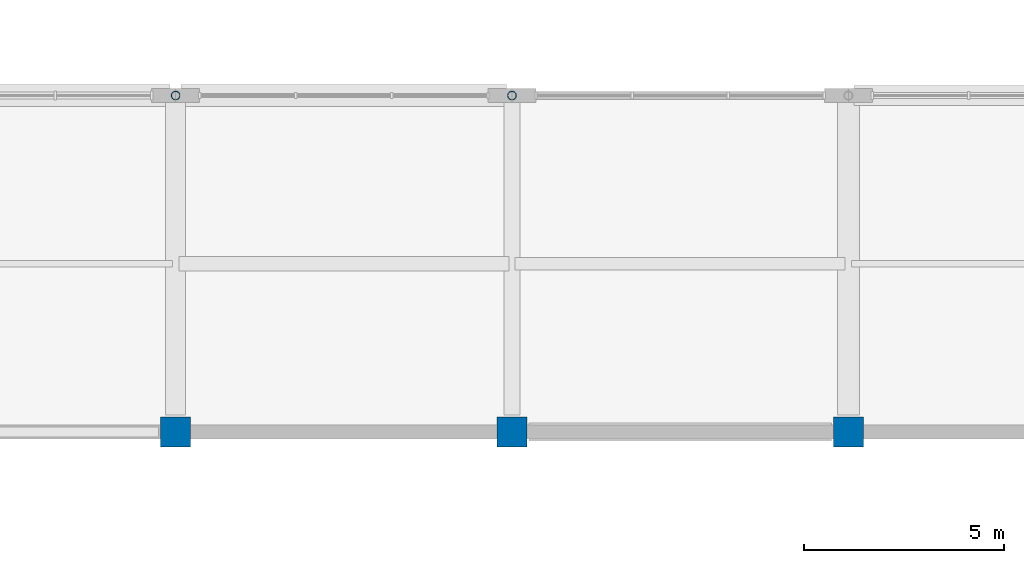
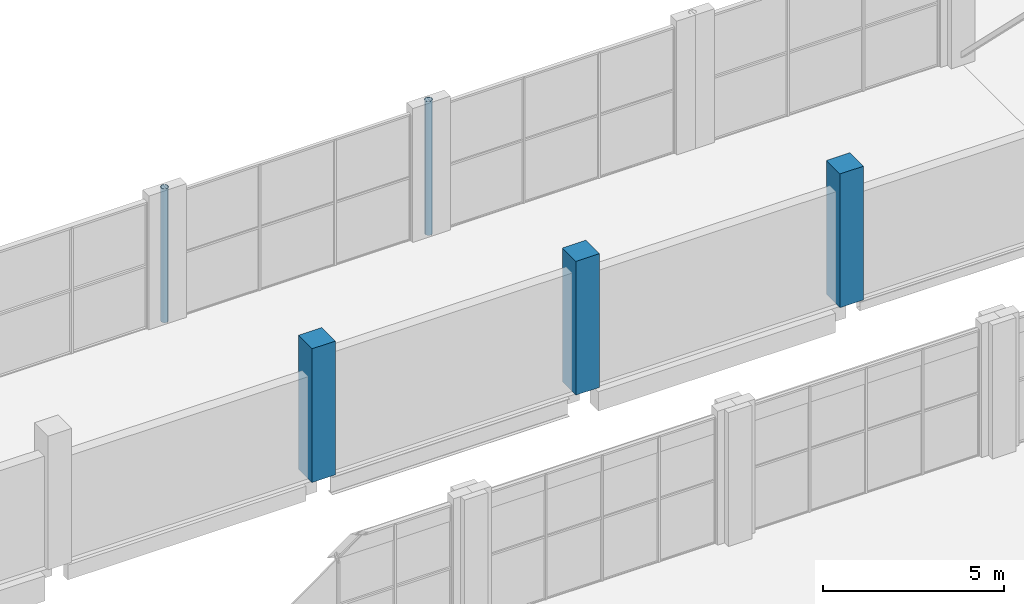
# One storey, part 7 of 75: 5 columns.
"""IFC4 building model written with IfcOpenShell, lengths in metres."""

import ifcopenshell
import ifcopenshell.guid

model = None  # the IFC model being written
_history = None  # IfcOwnerHistory: only IFC2X3 demands one
_inside = {}  # id of a spatial element -> (the spatial element, [elements in it])
_under = {}  # id of a project, library or spatial element -> (it, [spatial elements below it])
_declared = {}  # id of a project -> (the project, [libraries it declares])
_typed = {}  # id of a type object -> (the type object, [elements of that type])
_made_of = {}  # id of a material, layer set ... -> (it, [elements and type objects made of it])


def new_model(schema):
    """Start an empty IFC model of exactly this schema.

    Asked for "IFC4X3", IfcOpenShell would pick the latest addendum, in which some entities
    have other attributes; the version numbers below select the first issue.
    IFC2X3 requires an IfcOwnerHistory on every rooted entity: one is made here for all.
    """
    global model, _history
    if schema == "IFC4X3":
        model = ifcopenshell.file(schema_version=(4, 3, 0, 0))
    else:
        model = ifcopenshell.file(schema=schema)
    _inside.clear()
    _under.clear()
    _declared.clear()
    _typed.clear()
    _made_of.clear()
    _history = None
    if model.schema == "IFC2X3":
        org = make("IfcOrganization", Name="unknown")
        user = make(
            "IfcPersonAndOrganization",
            ThePerson=make("IfcPerson", FamilyName="unknown"),
            TheOrganization=org,
        )
        app = make(
            "IfcApplication",
            ApplicationDeveloper=org,
            Version="unknown",
            ApplicationFullName="unknown",
            ApplicationIdentifier="unknown",
        )
        _history = make(
            "IfcOwnerHistory",
            OwningUser=user,
            OwningApplication=app,
            ChangeAction="ADDED",
            CreationDate=0,
        )
    return model


def make(cls, **values):
    """One entity of the class cls with the attributes given. An attribute that is None is left unset."""
    return model.create_entity(
        cls, **{name: value for name, value in values.items() if value is not None}
    )


def rooted(cls, **values):
    """An entity with a GlobalId (a new one), such as an element, a storey or a relation."""
    return make(cls, GlobalId=ifcopenshell.guid.new(), OwnerHistory=_history, **values)


def si_unit(unit_type, name, prefix=None):
    """IfcSIUnit, for example si_unit("LENGTHUNIT", "METRE", prefix="MILLI")."""
    return make("IfcSIUnit", UnitType=unit_type, Prefix=prefix, Name=name)


def derived_unit(unit_type, elements):
    """IfcDerivedUnit: a product of units, each with its exponent."""
    return make(
        "IfcDerivedUnit",
        Elements=[
            make("IfcDerivedUnitElement", Unit=unit, Exponent=power)
            for unit, power in elements
        ],
        UnitType=unit_type,
    )


def assignment(units):
    """IfcUnitAssignment: the units of a project."""
    return None if units is None else make("IfcUnitAssignment", Units=units)


def point(xyz):
    """IfcCartesianPoint."""
    return None if xyz is None else make("IfcCartesianPoint", Coordinates=xyz)


def direction(xyz):
    """IfcDirection."""
    return None if xyz is None else make("IfcDirection", DirectionRatios=xyz)


def frame(location, z_axis=None, x_axis=None):
    """IfcAxis2Placement3D, a coordinate frame: its origin and axes. An axis left out is left unset."""
    return make(
        "IfcAxis2Placement3D",
        Location=point(location),
        Axis=direction(z_axis),
        RefDirection=direction(x_axis),
    )


def frame_2d(location, x_axis=None):
    """IfcAxis2Placement2D, a coordinate frame in the plane: its origin and x axis."""
    return make(
        "IfcAxis2Placement2D", Location=point(location), RefDirection=direction(x_axis)
    )


def origin():
    """The frame at (0, 0, 0) with its axes left unset."""
    return frame((0.0, 0.0, 0.0))


def origin_2d():
    """The frame at (0, 0) in the plane with its x axis left unset."""
    return frame_2d((0.0, 0.0))


def place(relative_to, where):
    """IfcLocalPlacement: puts the frame where relative to a parent placement (None: the world)."""
    return make(
        "IfcLocalPlacement", PlacementRelTo=relative_to, RelativePlacement=where
    )


def context(
    kind, dimensions, precision=None, world=None, true_north=None, identifier=None
):
    """IfcGeometricRepresentationContext, for example the 3D "Model" context."""
    return make(
        "IfcGeometricRepresentationContext",
        ContextIdentifier=identifier,
        ContextType=kind,
        CoordinateSpaceDimension=dimensions,
        Precision=precision,
        WorldCoordinateSystem=world,
        TrueNorth=true_north,
    )


def subcontext(parent, identifier, kind, view, scale=None):
    """IfcGeometricRepresentationSubContext, for example "Body" below "Model"."""
    return make(
        "IfcGeometricRepresentationSubContext",
        ContextIdentifier=identifier,
        ContextType=kind,
        ParentContext=parent,
        TargetScale=scale,
        TargetView=view,
    )


def project(units=None, contexts=None):
    """IfcProject with its units and contexts."""
    return rooted(
        "IfcProject",
        Name="project",
        RepresentationContexts=contexts,
        UnitsInContext=assignment(units),
    )


def spatial(cls, under=None, at=None, **own):
    """A site, building, storey or space (cls), placed at a placement, below another one or the project."""
    s = rooted(cls, ObjectPlacement=at, **own)
    if under is not None:
        _under.setdefault(under.id(), (under, []))[1].append(s)
    return s


def profile(cls, at=None, kind="AREA", **sizes):
    """A parametric profile (cls). Its sizes go by their IFC names, for example OverallWidth=200.0."""
    return make(cls, ProfileType=kind, Position=at, **sizes)


def rectangle(**sizes):
    """IfcRectangleProfileDef."""
    return profile("IfcRectangleProfileDef", **sizes)


def hollow_circle(**sizes):
    """IfcCircleHollowProfileDef."""
    return profile("IfcCircleHollowProfileDef", **sizes)


def extrude(swept, where, along, depth):
    """IfcExtrudedAreaSolid: the profile swept, set in the frame where, extruded along a direction by depth."""
    return make(
        "IfcExtrudedAreaSolid",
        SweptArea=swept,
        Position=where,
        ExtrudedDirection=direction(along),
        Depth=depth,
    )


def shape(context_of_items, identifier, shape_type, items):
    """IfcShapeRepresentation: the items that make up one representation, for example the "Body"."""
    return make(
        "IfcShapeRepresentation",
        ContextOfItems=context_of_items,
        RepresentationIdentifier=identifier,
        RepresentationType=shape_type,
        Items=items,
    )


def material(Name=None, Category=None):
    """IfcMaterial."""
    return make("IfcMaterial", Name=Name, Category=Category)


def material_profile(
    of_material, cross_section, Name=None, Category=None, Priority=None
):
    """IfcMaterialProfile: a cross section and its material."""
    return make(
        "IfcMaterialProfile",
        Name=Name,
        Material=of_material,
        Profile=cross_section,
        Priority=Priority,
        Category=Category,
    )


def profile_set(profiles, Name=None, composite=None):
    """IfcMaterialProfileSet."""
    return make(
        "IfcMaterialProfileSet",
        Name=Name,
        MaterialProfiles=profiles,
        CompositeProfile=composite,
    )


def made_of(thing, what):
    """Note that an element or type object is made of a material, layer set ...; save() writes the relation."""
    if what is not None:
        _made_of.setdefault(what.id(), (what, []))[1].append(thing)
    return thing


def type_object(cls, material=None, **own):
    """A type object (cls), such as IfcWallType, which elements share."""
    return made_of(rooted(cls, **own), material)


def element(
    cls,
    number,
    at=None,
    inside=None,
    cuts=None,
    type_object=None,
    material=None,
    context=None,
    identifier="Body",
    shape_type=None,
    held_by="IfcProductDefinitionShape",
    body=None,
    shapes=None,
    **own,
):
    """One element of the class cls, such as IfcWall. Its Tag is "e" and its number.

    at: its placement. inside: the storey or other place that contains it. cuts: it is an
    opening in that element (IfcRelVoidsElement). A single representation is given by context,
    identifier, shape_type and body (its items); several are given by shapes. held_by: the class
    of the entity that holds the representations. save() writes the other relations.
    """
    e = rooted(cls, Tag="e%d" % number, ObjectPlacement=at, **own)
    if body is not None:
        shapes = [shape(context, identifier, shape_type, body)]
    if shapes is not None:
        e.Representation = make(held_by, Representations=shapes)
    if inside is not None:
        _inside.setdefault(inside.id(), (inside, []))[1].append(e)
    if cuts is not None:
        rooted(
            "IfcRelVoidsElement", RelatingBuildingElement=cuts, RelatedOpeningElement=e
        )
    if type_object is not None:
        _typed.setdefault(type_object.id(), (type_object, []))[1].append(e)
    return made_of(e, material)


def aggregate(whole, parts):
    """IfcRelAggregates: a whole, such as a stair, and the parts it consists of."""
    return rooted("IfcRelAggregates", RelatingObject=whole, RelatedObjects=parts)


def save(model, path):
    """Write the relations noted so far, then the file.

    IfcRelAggregates (storeys below a building ...), IfcRelContainedInSpatialStructure (elements
    in a storey), IfcRelDefinesByType, IfcRelAssociatesMaterial and IfcRelDeclares: one each for
    every whole, place, type object, material and project.
    """
    for whole, parts in _under.values():
        aggregate(whole, parts)
    for where, things in _inside.values():
        rooted(
            "IfcRelContainedInSpatialStructure",
            RelatedElements=things,
            RelatingStructure=where,
        )
    for kind, things in _typed.values():
        rooted("IfcRelDefinesByType", RelatedObjects=things, RelatingType=kind)
    for what, things in _made_of.values():
        rooted("IfcRelAssociatesMaterial", RelatedObjects=things, RelatingMaterial=what)
    for by, libraries in _declared.values():
        rooted("IfcRelDeclares", RelatingContext=by, RelatedDefinitions=libraries)
    model.write(path)


model = new_model("IFC4")

# Units and contexts
model_context = context("Model", 3, precision=1e-05, world=origin(), true_north=direction((0.0, 1.0)))
body_context = subcontext(model_context, "Body", "Model", "MODEL_VIEW")
ifc_project = project(units=[si_unit("LENGTHUNIT", "METRE"), si_unit("AREAUNIT", "SQUARE_METRE"), si_unit("VOLUMEUNIT", "CUBIC_METRE"), si_unit("PLANEANGLEUNIT", "RADIAN"), si_unit("MASSUNIT", "GRAM", prefix="KILO"), derived_unit("THERMALTRANSMITTANCEUNIT", [(si_unit("POWERUNIT", "WATT"), 1), (si_unit("LENGTHUNIT", "METRE"), -2), (si_unit("THERMODYNAMICTEMPERATUREUNIT", "KELVIN"), -1)])], contexts=[model_context])

# Site, building, storey
site_placement = place(None, origin())
site = spatial("IfcSite", under=ifc_project, at=site_placement, CompositionType="ELEMENT")
building_placement = place(site_placement, origin())
building = spatial("IfcBuilding", under=site, at=building_placement, Name="Barrovel Congress Hotel", CompositionType="ELEMENT")
storey_placement = place(building_placement, frame((0.0, 0.0, 5.39990234375)))
storey = spatial("IfcBuildingStorey", under=building, at=storey_placement, Name="L01", CompositionType="ELEMENT", Elevation=5.39990234375)

# Columns
ifc_material_1 = material(Name="Concrete C40", Category="concrete")
ifc_material_profile_1 = material_profile(ifc_material_1, rectangle(XDim=0.75, YDim=0.75, at=origin_2d()), Name="RC750x750")
ifc_profile_set_1 = profile_set([ifc_material_profile_1], Name="Concrete C40")
column_type_1 = type_object("IfcColumnType", Name="COL-RC750x750", PredefinedType="COLUMN", material=ifc_profile_set_1)
for number, where, z_axis, x_axis, name in (
    (1, (100.800048828125, 37.800048828125, 0.0), (0.0, 0.0, 1.0), (1.0, 0.0, 0.0), "COL:L01:100.8:37.8"),
    (2, (109.199951171875, 37.800048828125, 0.0), (0.0, 0.0, 1.0), (1.0, 0.0, 0.0), "COL:L01:109.2:37.8"),
    (3, (117.60009765625, 37.800048828125, 0.0), (0.0, 0.0, 1.0), (1.0, 0.0, 0.0), "COL:L01:117.6:37.8"),
):
    element("IfcColumn", number, at=place(storey_placement, frame(where, z_axis=z_axis, x_axis=x_axis)), inside=storey, type_object=column_type_1, Name=name, PredefinedType="COLUMN", context=body_context, shape_type="SweptSolid", body=[
        extrude(rectangle(XDim=0.75, YDim=0.75, at=origin_2d()), origin(), (0.0, 0.0, 1.0), 4.5),
    ])
ifc_material_2 = material(Name="Steel ASTM A500 Grade C", Category="steel")
ifc_material_profile_2 = material_profile(ifc_material_2, hollow_circle(Radius=0.109619140625, WallThickness=0.0087890625, at=origin_2d()), Name="CHS219.1x9.5")
ifc_profile_set_2 = profile_set([ifc_material_profile_2], Name="Steel ASTM A500 Grade C")
column_type_2 = type_object("IfcColumnType", Name="SCOL-CHS219.1x9.5", PredefinedType="COLUMN", material=ifc_profile_set_2)
for number, where, z_axis, x_axis, name in (
    (4, (100.800048828125, 46.199951171875, 0.0), (0.0, 0.0, 1.0), (1.0, 0.0, 0.0), "COL:L01:100.8:46.2"),
    (5, (109.199951171875, 46.199951171875, 0.0), (0.0, 0.0, 1.0), (1.0, 0.0, 0.0), "COL:L01:109.2:46.2"),
):
    element("IfcColumn", number, at=place(storey_placement, frame(where, z_axis=z_axis, x_axis=x_axis)), inside=storey, type_object=column_type_2, Name=name, PredefinedType="COLUMN", context=body_context, shape_type="SweptSolid", body=[
        extrude(hollow_circle(Radius=0.109619140625, WallThickness=0.0087890625, at=origin_2d()), origin(), (0.0, 0.0, 1.0), 4.5),
    ])

save(model, "model.ifc")
